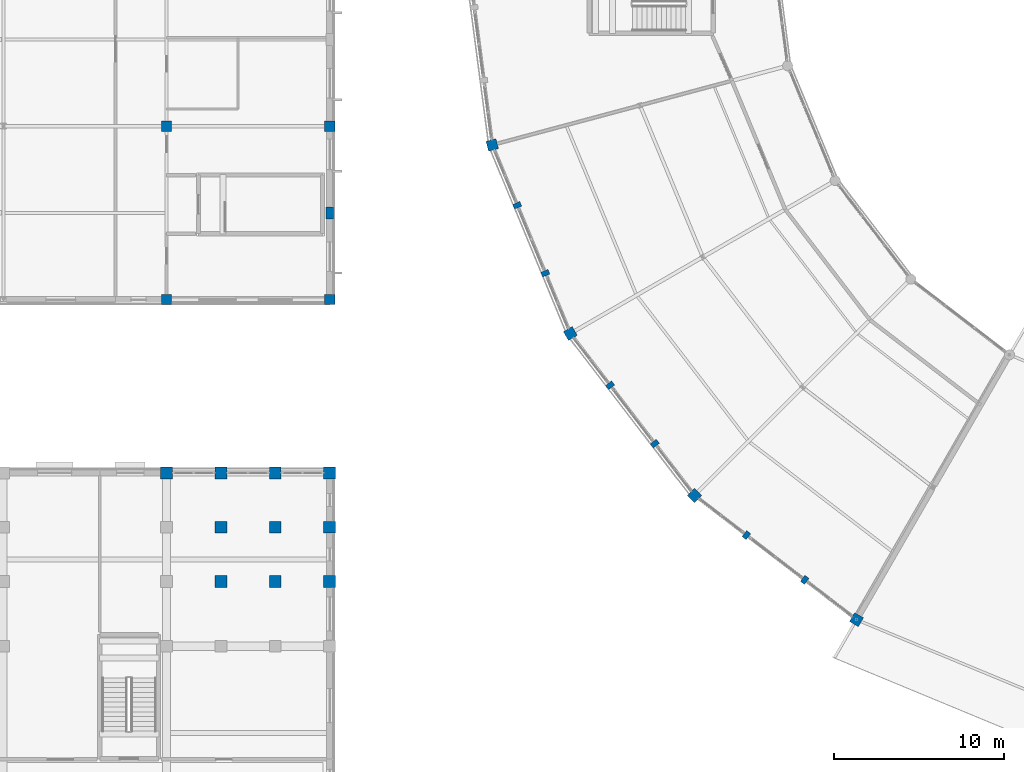
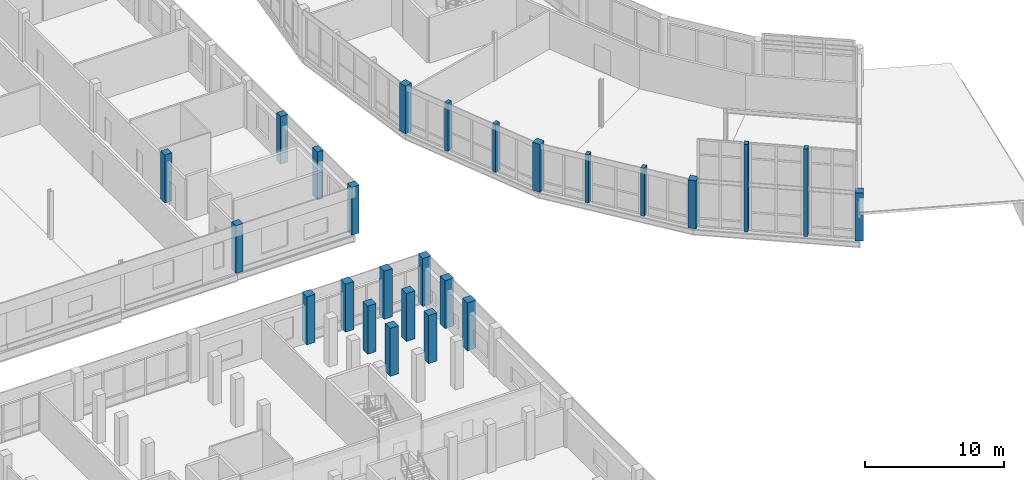
# One storey, part 3 of 185: 25 columns.
"""IFC4 building model written with IfcOpenShell, lengths in metres."""

from ifc_helpers import new_model, si_unit, direction, frame, origin, origin_2d, place, context, subcontext, project, spatial, rectangle, extrude, material, material_profile, profile_set, type_object, element, save


model = new_model("IFC4")

# Units and contexts
model_context = context("Model", 3, precision=1e-05, world=origin(), true_north=direction((0.0, 1.0)))
body_context = subcontext(model_context, "Body", "Model", "MODEL_VIEW")
ifc_project = project(units=[si_unit("LENGTHUNIT", "METRE"), si_unit("AREAUNIT", "SQUARE_METRE"), si_unit("VOLUMEUNIT", "CUBIC_METRE"), si_unit("PLANEANGLEUNIT", "RADIAN"), si_unit("MASSUNIT", "GRAM", prefix="KILO")], contexts=[model_context])

# Site, building, storey
site_placement = place(None, origin())
site = spatial("IfcSite", under=ifc_project, at=site_placement, CompositionType="ELEMENT")
building_placement = place(site_placement, origin())
building = spatial("IfcBuilding", under=site, at=building_placement, Name="Vondelvale Polytechnic", CompositionType="ELEMENT")
storey_placement = place(building_placement, frame((0.0, 0.0, 9.60009765625)))
storey = spatial("IfcBuildingStorey", under=building, at=storey_placement, Name="L02", CompositionType="ELEMENT", Elevation=9.60009765625)

# Columns
ifc_material_1 = material(Name="Glulam GL18 structural Tasmanian oak (fb = 42 MPa)", Category="wood")
ifc_material_profile_1 = material_profile(ifc_material_1, rectangle(XDim=0.300048828125, YDim=0.449951171875, at=origin_2d()), Name="GL-POST-300x450")
ifc_profile_set_1 = profile_set([ifc_material_profile_1], Name="Glulam GL18 structural Tasmanian oak (fb = 42 MPa)")
column_type_1 = type_object("IfcColumnType", Name="COL-GLULAM-300x450", PredefinedType="PILASTER", material=ifc_profile_set_1)
for number, where, z_axis, x_axis, name in (
    (1, (59.037841796875, 56.544189453125, 0.0), (0.0, 0.0, 1.0), (-0.382683432365, 0.923879532511, 0.0), "L02 ring outer glulam timber post C13-P1"),
    (2, (60.6923828125, 52.55029296875, 0.0), (0.0, 0.0, 1.0), (-0.382683432365, 0.923879532511, 0.0), "L02 ring outer glulam timber post C13-P2"),
    (3, (64.502197265625, 45.951416015625, 0.0), (0.0, 0.0, 1.0), (-0.608761429009, 0.793353340291, 0.0), "L02 ring outer glulam timber post C14-P1"),
    (4, (67.1337890625, 42.521728515625, 0.0), (0.0, 0.0, 1.0), (-0.608761429009, 0.793353340291, 0.0), "L02 ring outer glulam timber post C14-P2"),
):
    element("IfcColumn", number, at=place(storey_placement, frame(where, z_axis=z_axis, x_axis=x_axis)), inside=storey, type_object=column_type_1, Name=name, PredefinedType="PILASTER", context=body_context, shape_type="SweptSolid", body=[
        extrude(rectangle(XDim=0.300048828125, YDim=0.449951171875, at=origin_2d()), origin(), (0.0, 0.0, 1.0), 4.199951171875),
    ])
for number, where, z_axis, x_axis, name in (
    (5, (72.521728515625, 37.1337890625, 0.0), (0.0, 0.0, 1.0), (-0.793353340291, 0.608761429009, 0.0), "L02 ring outer glulam timber post C15-P1"),
    (6, (75.951416015625, 34.502197265625, 0.0), (0.0, 0.0, 1.0), (-0.793353340291, 0.608761429009, 0.0), "L02 ring outer glulam timber post C15-P2"),
):
    element("IfcColumn", number, at=place(storey_placement, frame(where, z_axis=z_axis, x_axis=x_axis)), inside=storey, type_object=column_type_1, Name=name, PredefinedType="PILASTER", context=body_context, shape_type="SweptSolid", body=[
        extrude(rectangle(XDim=0.300048828125, YDim=0.449951171875, at=origin_2d()), origin(), (0.0, 0.0, 1.0), 7.6513671875),
    ])
ifc_material_2 = material(Name="Concrete N50 (f'c = 50 MPa)", Category="concrete")
ifc_material_profile_2 = material_profile(ifc_material_2, rectangle(XDim=0.60009765625, YDim=0.60009765625, at=origin_2d()), Name="RC-COL-600x600")
ifc_profile_set_2 = profile_set([ifc_material_profile_2], Name="Concrete N50 (f'c = 50 MPa)")
column_type_2 = type_object("IfcColumnType", Name="COL-RC600", PredefinedType="COLUMN", material=ifc_profile_set_2)
for number, where, z_axis, x_axis, name in (
    (7, (38.39990234375, 51.0, 0.0), (0.0, 0.0, 1.0), (1.0, 0.0, 0.0), "L02 workshop column (38.4,51.0)"),
    (8, (48.0, 51.0, 0.0), (0.0, 0.0, 1.0), (1.0, 0.0, 0.0), "L02 workshop column (48.0,51.0)"),
    (9, (38.39990234375, 61.199951171875, 0.0), (0.0, 0.0, 1.0), (1.0, 0.0, 0.0), "L02 workshop column (38.4,61.2)"),
    (10, (48.0, 61.199951171875, 0.0), (0.0, 0.0, 1.0), (1.0, 0.0, 0.0), "L02 workshop column (48.0,61.2)"),
    (11, (57.5673828125, 60.09423828125, 0.0), (0.0, 0.0, 1.0), (0.965925826289, 0.258819045103, 0.0), "L02 courtyard ring column S13-RO"),
    (12, (62.162841796875, 49.0, 0.0), (0.0, 0.0, 1.0), (0.866025403784, 0.5, 0.0), "L02 courtyard ring column S14-RO"),
    (13, (69.47314453125, 39.47314453125, 0.0), (0.0, 0.0, 1.0), (0.707106781187, 0.707106781187, 0.0), "L02 courtyard ring column S15-RO"),
    (14, (79.0, 32.162841796875, 0.0), (0.0, 0.0, 1.0), (0.5, 0.866025403784, 0.0), "L02 courtyard ring column S16-RO"),
):
    element("IfcColumn", number, at=place(storey_placement, frame(where, z_axis=z_axis, x_axis=x_axis)), inside=storey, type_object=column_type_2, Name=name, PredefinedType="COLUMN", context=body_context, shape_type="SweptSolid", body=[
        extrude(rectangle(XDim=0.60009765625, YDim=0.60009765625, at=origin_2d()), origin(), (0.0, 0.0, 1.0), 4.199951171875),
    ])
ifc_material_profile_3 = material_profile(ifc_material_2, rectangle(XDim=0.699951171875, YDim=0.699951171875, at=origin_2d()), Name="RC-COL-700x700")
ifc_profile_set_3 = profile_set([ifc_material_profile_3], Name="Concrete N50 (f'c = 50 MPa)")
column_type_3 = type_object("IfcColumnType", Name="COL-RC700", PredefinedType="COLUMN", material=ifc_profile_set_3)
for number, where, z_axis, x_axis, name in (
    (15, (38.39990234375, 40.800048828125, 0.0), (0.0, 0.0, 1.0), (1.0, 0.0, 0.0), "L02 corner wing column (38.4,40.8)"),
    (16, (41.60009765625, 34.39990234375, 0.0), (0.0, 0.0, 1.0), (1.0, 0.0, 0.0), "L02 corner wing column (41.6,34.4)"),
    (17, (41.60009765625, 37.60009765625, 0.0), (0.0, 0.0, 1.0), (1.0, 0.0, 0.0), "L02 corner wing column (41.6,37.6)"),
    (18, (41.60009765625, 40.800048828125, 0.0), (0.0, 0.0, 1.0), (1.0, 0.0, 0.0), "L02 corner wing column (41.6,40.8)"),
    (19, (44.800048828125, 34.39990234375, 0.0), (0.0, 0.0, 1.0), (1.0, 0.0, 0.0), "L02 corner wing column (44.8,34.4)"),
    (20, (44.800048828125, 37.60009765625, 0.0), (0.0, 0.0, 1.0), (1.0, 0.0, 0.0), "L02 corner wing column (44.8,37.6)"),
    (21, (44.800048828125, 40.800048828125, 0.0), (0.0, 0.0, 1.0), (1.0, 0.0, 0.0), "L02 corner wing column (44.8,40.8)"),
    (22, (48.0, 34.39990234375, 0.0), (0.0, 0.0, 1.0), (1.0, 0.0, 0.0), "L02 corner wing column (48.0,34.4)"),
    (23, (48.0, 37.60009765625, 0.0), (0.0, 0.0, 1.0), (1.0, 0.0, 0.0), "L02 corner wing column (48.0,37.6)"),
    (24, (48.0, 40.800048828125, 0.0), (0.0, 0.0, 1.0), (1.0, 0.0, 0.0), "L02 corner wing column (48.0,40.8)"),
):
    element("IfcColumn", number, at=place(storey_placement, frame(where, z_axis=z_axis, x_axis=x_axis)), inside=storey, type_object=column_type_3, Name=name, PredefinedType="COLUMN", context=body_context, shape_type="SweptSolid", body=[
        extrude(rectangle(XDim=0.699951171875, YDim=0.699951171875, at=origin_2d()), origin(), (0.0, 0.0, 1.0), 4.199951171875),
    ])
ifc_material_profile_4 = material_profile(ifc_material_2, rectangle(XDim=0.449951171875, YDim=0.699951171875, at=origin_2d()), Name="RC-PIL-700x450")
ifc_profile_set_4 = profile_set([ifc_material_profile_4], Name="Concrete N50 (f'c = 50 MPa)")
column_type_4 = type_object("IfcColumnType", Name="PIL-RC700x450", PredefinedType="PILASTER", material=ifc_profile_set_4)
column_placement = place(storey_placement, frame((48.0, 56.10009765625, 0.0), z_axis=(0.0, 0.0, 1.0), x_axis=(1.0, 0.0, 0.0)))
element("IfcColumn", 25, at=column_placement, inside=storey, type_object=column_type_4, Name="L02 East workshop brick pilaster 1", PredefinedType="PILASTER", context=body_context, shape_type="SweptSolid", body=[
    extrude(rectangle(XDim=0.449951171875, YDim=0.699951171875, at=origin_2d()), origin(), (0.0, 0.0, 1.0), 4.199951171875),
])

save(model, "model.ifc")
